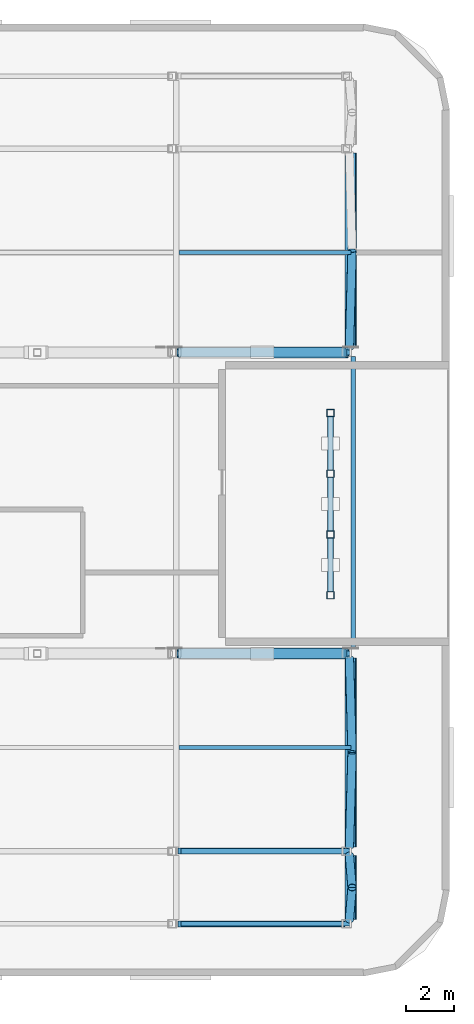
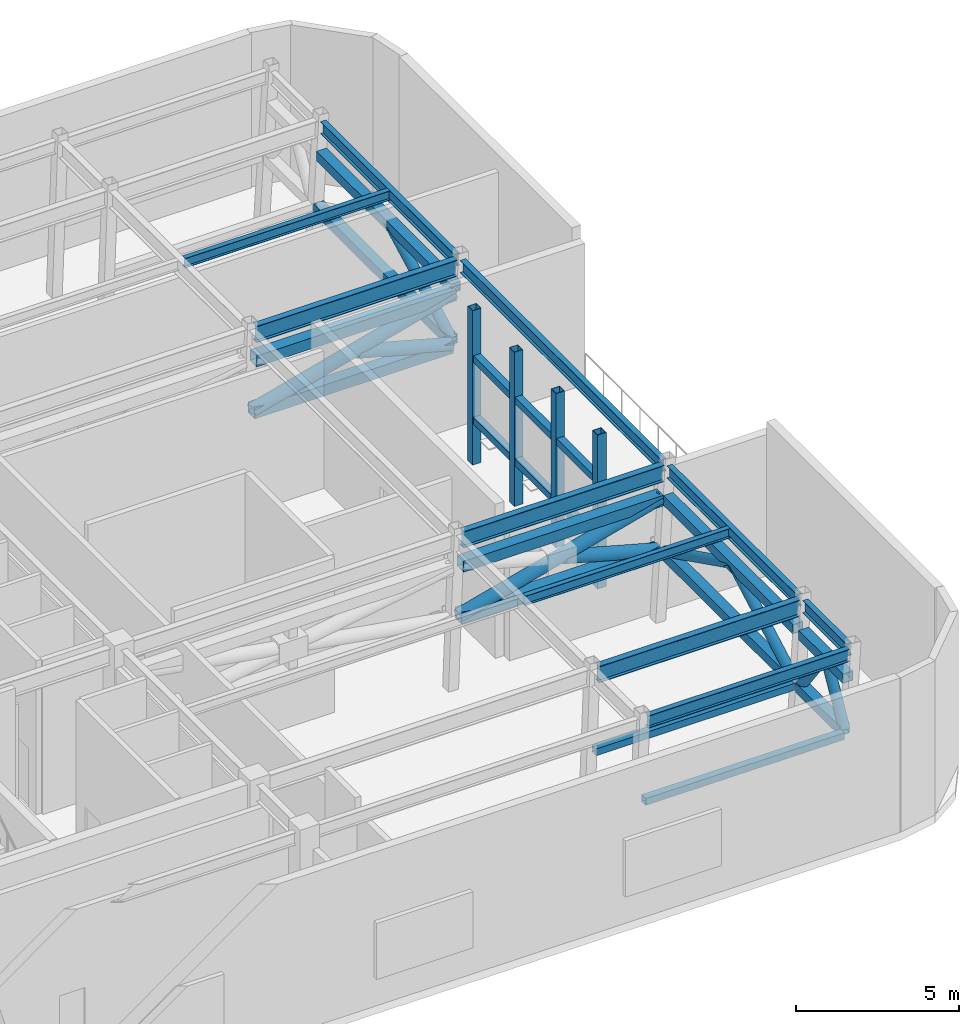
# One storey, part 3 of 12: 31 members, 10 beams.
"""IFC4 building model written with IfcOpenShell, lengths in metres."""

from ifc_helpers import new_model, si_unit, direction, frame, origin, origin_2d, place, context, subcontext, project, spatial, hollow_rectangle, hollow_circle, i_section, extrude, material, material_profile, profile_set, type_object, element, save


model = new_model("IFC4")

# Units and contexts
model_context = context("Model", 3, precision=1e-05, world=origin(), true_north=direction((0.0, 1.0)))
body_context = subcontext(model_context, "Body", "Model", "MODEL_VIEW")
ifc_project = project(units=[si_unit("LENGTHUNIT", "METRE"), si_unit("AREAUNIT", "SQUARE_METRE"), si_unit("VOLUMEUNIT", "CUBIC_METRE"), si_unit("PLANEANGLEUNIT", "RADIAN"), si_unit("MASSUNIT", "GRAM", prefix="KILO")], contexts=[model_context])

# Site, building, storey
site_placement = place(None, origin())
site = spatial("IfcSite", under=ifc_project, at=site_placement, CompositionType="ELEMENT")
building_placement = place(site_placement, origin())
building = spatial("IfcBuilding", under=site, at=building_placement, Name="Ochreholt Gables", CompositionType="ELEMENT")
storey_placement = place(building_placement, frame((0.0, 0.0, 199.800048828125)))
storey = spatial("IfcBuildingStorey", under=building, at=storey_placement, Name="L52", CompositionType="ELEMENT", Elevation=199.800048828125)

# Beams
ifc_material = material(Name="Steel CSA G40.21 350W", Category="steel")
ifc_material_profile_1 = material_profile(ifc_material, i_section(OverallWidth=0.22900390625, OverallDepth=0.612060546875, WebThickness=0.011962890625, FlangeThickness=0.01953125, at=origin_2d()), Name="W610X125")
ifc_profile_set_1 = profile_set([ifc_material_profile_1], Name="Steel CSA G40.21 350W")
beam_type_1 = type_object("IfcBeamType", Name="BM-G-W610B", PredefinedType="BEAM", material=ifc_profile_set_1)
for number, where, z_axis, x_axis, name in (
    (1, (47.316650390625, 9.25, 5.453857421875), (1.0, 0.0, 0.0), (0.0, 1.0, 0.0), "L52 Beam TBG-L52-EMEE-Y2"),
    (2, (47.316650390625, 17.550048828125, 5.453857421875), (1.0, 0.0, 0.0), (0.0, 1.0, 0.0), "L52 Beam TBG-L52-EMEE-Y3"),
    (3, (47.316650390625, 30.199951171875, 5.453857421875), (1.0, 0.0, 0.0), (0.0, 1.0, 0.0), "L52 Beam TBG-L52-EMEE-Y4"),
):
    element("IfcBeam", number, at=place(storey_placement, frame(where, z_axis=z_axis, x_axis=x_axis)), inside=storey, type_object=beam_type_1, Name=name, PredefinedType="BEAM", context=body_context, shape_type="SweptSolid", body=[
        extrude(i_section(OverallWidth=0.22900390625, OverallDepth=0.612060546875, WebThickness=0.011962890625, FlangeThickness=0.01953125, at=origin_2d()), origin(), (0.0, 0.0, 1.0), 7.098876953125),
    ])
ifc_material_profile_2 = material_profile(ifc_material, i_section(OverallWidth=0.172119140625, OverallDepth=0.35791015625, WebThickness=0.0078125, FlangeThickness=0.01318359375, at=origin_2d()), Name="W360X57")
ifc_profile_set_2 = profile_set([ifc_material_profile_2], Name="Steel CSA G40.21 350W")
beam_type_2 = type_object("IfcBeamType", Name="BM-J-W360B", PredefinedType="JOIST", material=ifc_profile_set_2)
for number, where, z_axis, x_axis, name in (
    (4, (47.236083984375, 13.60009765625, 5.5810546875), (1.0, 0.0, 0.0), (0.0, 1.0, 0.0), "L52 Beam TBJ-L52-J1-EMEE"),
    (5, (47.236083984375, 34.39990234375, 5.5810546875), (1.0, 0.0, 0.0), (0.0, 1.0, 0.0), "L52 Beam TBJ-L52-J2-EMEE"),
):
    element("IfcBeam", number, at=place(storey_placement, frame(where, z_axis=z_axis, x_axis=x_axis)), inside=storey, type_object=beam_type_2, Name=name, PredefinedType="JOIST", context=body_context, shape_type="SweptSolid", body=[
        extrude(i_section(OverallWidth=0.172119140625, OverallDepth=0.35791015625, WebThickness=0.0078125, FlangeThickness=0.01318359375, at=origin_2d()), origin(), (0.0, 0.0, 1.0), 7.233154296875),
    ])
ifc_material_profile_3 = material_profile(ifc_material, i_section(OverallWidth=0.19189453125, OverallDepth=0.462890625, WebThickness=0.010498046875, FlangeThickness=0.017578125, at=origin_2d()), Name="W460X89")
ifc_profile_set_3 = profile_set([ifc_material_profile_3], Name="Steel CSA G40.21 350W")
beam_type_3 = type_object("IfcBeamType", Name="BM-SP-W460A", PredefinedType="SPANDREL", material=ifc_profile_set_3)
beam_1_placement = place(storey_placement, frame((47.316650390625, 6.199951171875, 5.528564453125), z_axis=(1.0, 0.0, 0.0), x_axis=(0.0, 1.0, 0.0)))
element("IfcBeam", 6, at=beam_1_placement, inside=storey, type_object=beam_type_3, Name="L52 Beam TBG-L52-EMEE-Y1", PredefinedType="SPANDREL", context=body_context, shape_type="SweptSolid", body=[
    extrude(i_section(OverallWidth=0.19189453125, OverallDepth=0.462890625, WebThickness=0.010498046875, FlangeThickness=0.017578125, at=origin_2d()), origin(), (0.0, 0.0, 1.0), 7.098876953125),
])
beam_2_placement = place(storey_placement, frame((54.564697265625, 6.377685546875, 5.528564453125), z_axis=(0.0, 1.0, 0.0), x_axis=(-1.0, 0.0, 0.0)))
element("IfcBeam", 7, at=beam_2_placement, inside=storey, type_object=beam_type_3, Name="L52 Beam TBN-L52-EE-Y1Y2", PredefinedType="SPANDREL", context=body_context, shape_type="SweptSolid", body=[
    extrude(i_section(OverallWidth=0.19189453125, OverallDepth=0.462890625, WebThickness=0.010498046875, FlangeThickness=0.017578125, at=origin_2d()), origin(), (0.0, 0.0, 1.0), 2.69482421875),
])
beam_3_placement = place(storey_placement, frame((54.564697265625, 9.427490234375, 5.528564453125), z_axis=(0.0, 1.0, 0.0), x_axis=(-1.0, 0.0, 0.0)))
element("IfcBeam", 8, at=beam_3_placement, inside=storey, type_object=beam_type_3, Name="L52 Beam TBN-L52-EE-Y2Y3", PredefinedType="SPANDREL", context=body_context, shape_type="SweptSolid", body=[
    extrude(i_section(OverallWidth=0.19189453125, OverallDepth=0.462890625, WebThickness=0.010498046875, FlangeThickness=0.017578125, at=origin_2d()), origin(), (0.0, 0.0, 1.0), 7.94482421875),
])
beam_4_placement = place(storey_placement, frame((54.564697265625, 17.7275390625, 5.528564453125), z_axis=(0.0, 1.0, 0.0), x_axis=(-1.0, 0.0, 0.0)))
element("IfcBeam", 9, at=beam_4_placement, inside=storey, type_object=beam_type_3, Name="L52 Beam TBN-L52-EE-Y3Y4", PredefinedType="SPANDREL", context=body_context, shape_type="SweptSolid", body=[
    extrude(i_section(OverallWidth=0.19189453125, OverallDepth=0.462890625, WebThickness=0.010498046875, FlangeThickness=0.017578125, at=origin_2d()), origin(), (0.0, 0.0, 1.0), 12.294921875),
])
beam_5_placement = place(storey_placement, frame((54.564697265625, 30.377685546875, 5.528564453125), z_axis=(0.0, 1.0, 0.0), x_axis=(-1.0, 0.0, 0.0)))
element("IfcBeam", 10, at=beam_5_placement, inside=storey, type_object=beam_type_3, Name="L52 Beam TBN-L52-EE-Y4Y5", PredefinedType="SPANDREL", context=body_context, shape_type="SweptSolid", body=[
    extrude(i_section(OverallWidth=0.19189453125, OverallDepth=0.462890625, WebThickness=0.010498046875, FlangeThickness=0.017578125, at=origin_2d()), origin(), (0.0, 0.0, 1.0), 8.19482421875),
])

# Members
ifc_material_profile_4 = material_profile(ifc_material, hollow_circle(Radius=0.177978515625, WallThickness=0.0126953125, at=origin_2d()), Name="CHS356X13")
ifc_profile_set_4 = profile_set([ifc_material_profile_4], Name="Steel CSA G40.21 350W")
member_type_1 = type_object("IfcMemberType", Name="MEM-BL-BR2", PredefinedType="BRACE", material=ifc_profile_set_4)
for number, where, z_axis, x_axis, name in (
    (11, (54.39599609375, 6.377685546875, 2.599853515625), (0.047406082797, 0.57375914684, 0.817650967548), (-0.99660404255, 0.082343077261, 0.0), "L52 Belt Truss Diagonal 1A"),
    (12, (54.39599609375, 9.072509765625, 2.599853515625), (0.047406082797, -0.57375914684, 0.817650967548), (0.99660404255, 0.082343077261, 0.0), "L52 Belt Truss Diagonal 1B"),
):
    element("IfcMember", number, at=place(storey_placement, frame(where, z_axis=z_axis, x_axis=x_axis)), inside=storey, type_object=member_type_1, Name=name, PredefinedType="BRACE", context=body_context, shape_type="SweptSolid", body=[
        extrude(hollow_circle(Radius=0.177978515625, WallThickness=0.0126953125, at=origin_2d()), origin(), (0.0, 0.0, 1.0), 2.348388671875),
    ])
for number, where, z_axis, x_axis, name in (
    (13, (54.39599609375, 9.427490234375, 2.599853515625), (0.02522412499, 0.90004767041, 0.435060840008), (-0.999607521868, 0.028014321798, 0.0), "L52 Belt Truss Diagonal 2A"),
    (14, (54.39599609375, 17.372314453125, 2.599853515625), (0.02522412499, -0.90004767041, 0.435060840008), (0.999607521868, 0.028014321798, 0.0), "L52 Belt Truss Diagonal 2B"),
):
    element("IfcMember", number, at=place(storey_placement, frame(where, z_axis=z_axis, x_axis=x_axis)), inside=storey, type_object=member_type_1, Name=name, PredefinedType="BRACE", context=body_context, shape_type="SweptSolid", body=[
        extrude(hollow_circle(Radius=0.177978515625, WallThickness=0.0126953125, at=origin_2d()), origin(), (0.0, 0.0, 1.0), 4.41357421875),
    ])
member_1_placement = place(storey_placement, frame((54.39599609375, 30.377685546875, 2.599853515625), z_axis=(0.02459533867, 0.905227124782, 0.424215654914), x_axis=(-0.999631090257, 0.027160327543, 0.0)))
element("IfcMember", 15, at=member_1_placement, inside=storey, type_object=member_type_1, Name="L52 Belt Truss Diagonal 3A", PredefinedType="BRACE", context=body_context, shape_type="SweptSolid", body=[
    extrude(hollow_circle(Radius=0.177978515625, WallThickness=0.0126953125, at=origin_2d()), origin(), (0.0, 0.0, 1.0), 4.5263671875),
])
ifc_material_profile_5 = material_profile(ifc_material, hollow_rectangle(XDim=0.35595703125, YDim=0.35595703125, WallThickness=0.01611328125, at=origin_2d()), Name="HSS356X356X16")
ifc_profile_set_5 = profile_set([ifc_material_profile_5], Name="Steel CSA G40.21 350W")
member_type_2 = type_object("IfcMemberType", Name="MEM-BL-CH2", PredefinedType="CHORD", material=ifc_profile_set_5)
for number, where, z_axis, x_axis, name in (
    (16, (54.39599609375, 6.377685546875, 2.599853515625), (0.0, 1.0, 0.0), (-1.0, 0.0, 0.0), "L52 Belt Truss Bottom Chord 1"),
    (17, (54.50732421875, 6.377685546875, 4.52001953125), (0.0, 1.0, 0.0), (-1.0, 0.0, 0.0), "L52 Belt Truss Top Chord 1"),
):
    element("IfcMember", number, at=place(storey_placement, frame(where, z_axis=z_axis, x_axis=x_axis)), inside=storey, type_object=member_type_2, Name=name, PredefinedType="CHORD", context=body_context, shape_type="SweptSolid", body=[
        extrude(hollow_rectangle(XDim=0.35595703125, YDim=0.35595703125, WallThickness=0.01611328125, at=origin_2d()), origin(), (0.0, 0.0, 1.0), 2.69482421875),
    ])
for number, where, z_axis, x_axis, name in (
    (18, (54.39599609375, 9.427490234375, 2.599853515625), (0.0, 1.0, 0.0), (-1.0, 0.0, 0.0), "L52 Belt Truss Bottom Chord 2"),
    (19, (54.50732421875, 9.427490234375, 4.52001953125), (0.0, 1.0, 0.0), (-1.0, 0.0, 0.0), "L52 Belt Truss Top Chord 2"),
):
    element("IfcMember", number, at=place(storey_placement, frame(where, z_axis=z_axis, x_axis=x_axis)), inside=storey, type_object=member_type_2, Name=name, PredefinedType="CHORD", context=body_context, shape_type="SweptSolid", body=[
        extrude(hollow_rectangle(XDim=0.35595703125, YDim=0.35595703125, WallThickness=0.01611328125, at=origin_2d()), origin(), (0.0, 0.0, 1.0), 7.94482421875),
    ])
for number, where, z_axis, x_axis, name in (
    (20, (54.39599609375, 30.377685546875, 2.599853515625), (0.0, 1.0, 0.0), (-1.0, 0.0, 0.0), "L52 Belt Truss Bottom Chord 3"),
    (21, (54.50732421875, 30.377685546875, 4.52001953125), (0.0, 1.0, 0.0), (-1.0, 0.0, 0.0), "L52 Belt Truss Top Chord 3"),
):
    element("IfcMember", number, at=place(storey_placement, frame(where, z_axis=z_axis, x_axis=x_axis)), inside=storey, type_object=member_type_2, Name=name, PredefinedType="CHORD", context=body_context, shape_type="SweptSolid", body=[
        extrude(hollow_rectangle(XDim=0.35595703125, YDim=0.35595703125, WallThickness=0.01611328125, at=origin_2d()), origin(), (0.0, 0.0, 1.0), 8.19482421875),
    ])
ifc_material_profile_6 = material_profile(ifc_material, hollow_rectangle(XDim=0.304931640625, YDim=0.304931640625, WallThickness=0.0126953125, at=origin_2d()), Name="HSS305X305X13")
ifc_profile_set_6 = profile_set([ifc_material_profile_6], Name="Steel CSA G40.21 350W")
member_type_3 = type_object("IfcMemberType", Name="MEM-BL-PT1", PredefinedType="POST", material=ifc_profile_set_6)
for number, where, z_axis, x_axis, name in (
    (22, (53.60009765625, 20.0, -0.00048828125), (0.0, 0.0, 1.0), (1.0, 0.0, 0.0), "L52 Wind Turbine Shroud Portal Post 1"),
    (23, (53.60009765625, 22.550048828125, -0.00048828125), (0.0, 0.0, 1.0), (1.0, 0.0, 0.0), "L52 Wind Turbine Shroud Portal Post 2"),
    (24, (53.60009765625, 25.10009765625, -0.00048828125), (0.0, 0.0, 1.0), (1.0, 0.0, 0.0), "L52 Wind Turbine Shroud Portal Post 3"),
    (25, (53.60009765625, 27.64990234375, -0.00048828125), (0.0, 0.0, 1.0), (1.0, 0.0, 0.0), "L52 Wind Turbine Shroud Portal Post 4"),
):
    element("IfcMember", number, at=place(storey_placement, frame(where, z_axis=z_axis, x_axis=x_axis)), inside=storey, type_object=member_type_3, Name=name, PredefinedType="POST", context=body_context, shape_type="SweptSolid", body=[
        extrude(hollow_rectangle(XDim=0.304931640625, YDim=0.304931640625, WallThickness=0.0126953125, at=origin_2d()), origin(), (0.0, 0.0, 1.0), 5.7607421875),
    ])
ifc_material_profile_7 = material_profile(ifc_material, hollow_circle(Radius=0.228515625, WallThickness=0.01611328125, at=origin_2d()), Name="CHS457X16")
ifc_profile_set_7 = profile_set([ifc_material_profile_7], Name="Steel CSA G40.21 350W")
member_type_4 = type_object("IfcMemberType", Name="MEM-OU-BR1", PredefinedType="BRACE", material=ifc_profile_set_7)
member_2_placement = place(storey_placement, frame((47.197509765625, 17.550048828125, 2.599853515625), z_axis=(0.965618311554, 0.0, 0.259963990565), x_axis=(0.0, 1.0, 0.0)))
element("IfcMember", 26, at=member_2_placement, inside=storey, type_object=member_type_4, Name="L52 Outrigger Truss S Continuous Diagonal 3", PredefinedType="BRACE", context=body_context, shape_type="SweptSolid", body=[
    extrude(hollow_circle(Radius=0.228515625, WallThickness=0.01611328125, at=origin_2d()), origin(), (0.0, 0.0, 1.0), 7.38623046875),
])
member_3_placement = place(storey_placement, frame((54.218505859375, 17.550048828125, 2.599853515625), z_axis=(-0.964615868736, 0.0, 0.263659298684), x_axis=(0.0, -1.0, 0.0)))
element("IfcMember", 27, at=member_3_placement, inside=storey, type_object=member_type_4, Name="L52 Outrigger Truss S Split Diagonal 4A", PredefinedType="BRACE", context=body_context, shape_type="SweptSolid", body=[
    extrude(hollow_circle(Radius=0.228515625, WallThickness=0.01611328125, at=origin_2d()), origin(), (0.0, 0.0, 1.0), 3.4306640625),
])
member_4_placement = place(storey_placement, frame((47.197509765625, 30.199951171875, 2.599853515625), z_axis=(0.965618311554, 0.0, 0.259963990565), x_axis=(0.0, 1.0, 0.0)))
element("IfcMember", 28, at=member_4_placement, inside=storey, type_object=member_type_4, Name="L52 Outrigger Truss N Continuous Diagonal 3", PredefinedType="BRACE", context=body_context, shape_type="SweptSolid", body=[
    extrude(hollow_circle(Radius=0.228515625, WallThickness=0.01611328125, at=origin_2d()), origin(), (0.0, 0.0, 1.0), 7.38623046875),
])
member_5_placement = place(storey_placement, frame((54.218505859375, 30.199951171875, 2.599853515625), z_axis=(-0.964615868736, 0.0, 0.263659298684), x_axis=(0.0, -1.0, 0.0)))
element("IfcMember", 29, at=member_5_placement, inside=storey, type_object=member_type_4, Name="L52 Outrigger Truss N Split Diagonal 4A", PredefinedType="BRACE", context=body_context, shape_type="SweptSolid", body=[
    extrude(hollow_circle(Radius=0.228515625, WallThickness=0.01611328125, at=origin_2d()), origin(), (0.0, 0.0, 1.0), 3.4306640625),
])
ifc_material_profile_8 = material_profile(ifc_material, hollow_rectangle(XDim=0.406005859375, YDim=0.406005859375, WallThickness=0.01611328125, at=origin_2d()), Name="HSS406X406X16")
ifc_profile_set_8 = profile_set([ifc_material_profile_8], Name="Steel CSA G40.21 350W")
member_type_5 = type_object("IfcMemberType", Name="MEM-OU-CH1", PredefinedType="CHORD", material=ifc_profile_set_8)
member_6_placement = place(storey_placement, frame((47.197509765625, 17.550048828125, 2.599853515625), z_axis=(1.0, 0.0, 0.0), x_axis=(0.0, 1.0, 0.0)))
element("IfcMember", 30, at=member_6_placement, inside=storey, type_object=member_type_5, Name="L52 Outrigger Truss S Bottom Chord 2", PredefinedType="CHORD", context=body_context, shape_type="SweptSolid", body=[
    extrude(hollow_rectangle(XDim=0.406005859375, YDim=0.406005859375, WallThickness=0.01611328125, at=origin_2d()), origin(), (0.0, 0.0, 1.0), 7.02099609375),
])
member_7_placement = place(storey_placement, frame((47.264892578125, 17.550048828125, 4.52001953125), z_axis=(1.0, 0.0, 0.0), x_axis=(0.0, 1.0, 0.0)))
element("IfcMember", 31, at=member_7_placement, inside=storey, type_object=member_type_5, Name="L52 Outrigger Truss S Top Chord 2", PredefinedType="CHORD", context=body_context, shape_type="SweptSolid", body=[
    extrude(hollow_rectangle(XDim=0.406005859375, YDim=0.406005859375, WallThickness=0.01611328125, at=origin_2d()), origin(), (0.0, 0.0, 1.0), 7.06494140625),
])
member_8_placement = place(storey_placement, frame((47.197509765625, 30.199951171875, 2.599853515625), z_axis=(1.0, 0.0, 0.0), x_axis=(0.0, 1.0, 0.0)))
element("IfcMember", 32, at=member_8_placement, inside=storey, type_object=member_type_5, Name="L52 Outrigger Truss N Bottom Chord 2", PredefinedType="CHORD", context=body_context, shape_type="SweptSolid", body=[
    extrude(hollow_rectangle(XDim=0.406005859375, YDim=0.406005859375, WallThickness=0.01611328125, at=origin_2d()), origin(), (0.0, 0.0, 1.0), 7.02099609375),
])
member_9_placement = place(storey_placement, frame((47.264892578125, 30.199951171875, 4.52001953125), z_axis=(1.0, 0.0, 0.0), x_axis=(0.0, 1.0, 0.0)))
element("IfcMember", 33, at=member_9_placement, inside=storey, type_object=member_type_5, Name="L52 Outrigger Truss N Top Chord 2", PredefinedType="CHORD", context=body_context, shape_type="SweptSolid", body=[
    extrude(hollow_rectangle(XDim=0.406005859375, YDim=0.406005859375, WallThickness=0.01611328125, at=origin_2d()), origin(), (0.0, 0.0, 1.0), 7.06494140625),
])
ifc_material_profile_9 = material_profile(ifc_material, hollow_rectangle(XDim=0.25390625, YDim=0.25390625, WallThickness=0.0126953125, at=origin_2d()), Name="HSS254X254X13")
ifc_profile_set_9 = profile_set([ifc_material_profile_9], Name="Steel CSA G40.21 350W")
member_type_6 = type_object("IfcMemberType", Name="MEM-TB-ST1", PredefinedType="STRUT", material=ifc_profile_set_9)
for number, where, z_axis, x_axis, name in (
    (34, (47.197509765625, 6.199951171875, 2.599853515625), (1.0, 0.0, 0.0), (0.0, 1.0, 0.0), "L52 Belt Lateral Tie Strut 1"),
    (35, (47.197509765625, 9.25, 2.599853515625), (1.0, 0.0, 0.0), (0.0, 1.0, 0.0), "L52 Belt Lateral Tie Strut 2"),
):
    element("IfcMember", number, at=place(storey_placement, frame(where, z_axis=z_axis, x_axis=x_axis)), inside=storey, type_object=member_type_6, Name=name, PredefinedType="STRUT", context=body_context, shape_type="SweptSolid", body=[
        extrude(hollow_rectangle(XDim=0.25390625, YDim=0.25390625, WallThickness=0.0126953125, at=origin_2d()), origin(), (0.0, 0.0, 1.0), 7.02099609375),
    ])
for number, where, z_axis, x_axis, name in (
    (36, (53.60009765625, 20.152099609375, 1.64990234375), (0.0, 1.0, 0.0), (-1.0, 0.0, 0.0), "L52 Wind Turbine Lower Rotor Ring Strut 1"),
    (37, (53.60009765625, 20.152099609375, 3.949951171875), (0.0, 1.0, 0.0), (-1.0, 0.0, 0.0), "L52 Wind Turbine Upper Rotor Ring Strut 1"),
    (38, (53.60009765625, 22.7021484375, 1.64990234375), (0.0, 1.0, 0.0), (-1.0, 0.0, 0.0), "L52 Wind Turbine Lower Rotor Ring Strut 2"),
    (39, (53.60009765625, 22.7021484375, 3.949951171875), (0.0, 1.0, 0.0), (-1.0, 0.0, 0.0), "L52 Wind Turbine Upper Rotor Ring Strut 2"),
):
    element("IfcMember", number, at=place(storey_placement, frame(where, z_axis=z_axis, x_axis=x_axis)), inside=storey, type_object=member_type_6, Name=name, PredefinedType="STRUT", context=body_context, shape_type="SweptSolid", body=[
        extrude(hollow_rectangle(XDim=0.25390625, YDim=0.25390625, WallThickness=0.0126953125, at=origin_2d()), origin(), (0.0, 0.0, 1.0), 2.245849609375),
    ])
for number, where, z_axis, x_axis, name in (
    (40, (53.60009765625, 25.252197265625, 1.64990234375), (0.0, 1.0, 0.0), (-1.0, 0.0, 0.0), "L52 Wind Turbine Lower Rotor Ring Strut 3"),
    (41, (53.60009765625, 25.252197265625, 3.949951171875), (0.0, 1.0, 0.0), (-1.0, 0.0, 0.0), "L52 Wind Turbine Upper Rotor Ring Strut 3"),
):
    element("IfcMember", number, at=place(storey_placement, frame(where, z_axis=z_axis, x_axis=x_axis)), inside=storey, type_object=member_type_6, Name=name, PredefinedType="STRUT", context=body_context, shape_type="SweptSolid", body=[
        extrude(hollow_rectangle(XDim=0.25390625, YDim=0.25390625, WallThickness=0.0126953125, at=origin_2d()), origin(), (0.0, 0.0, 1.0), 2.24560546875),
    ])

save(model, "model.ifc")
